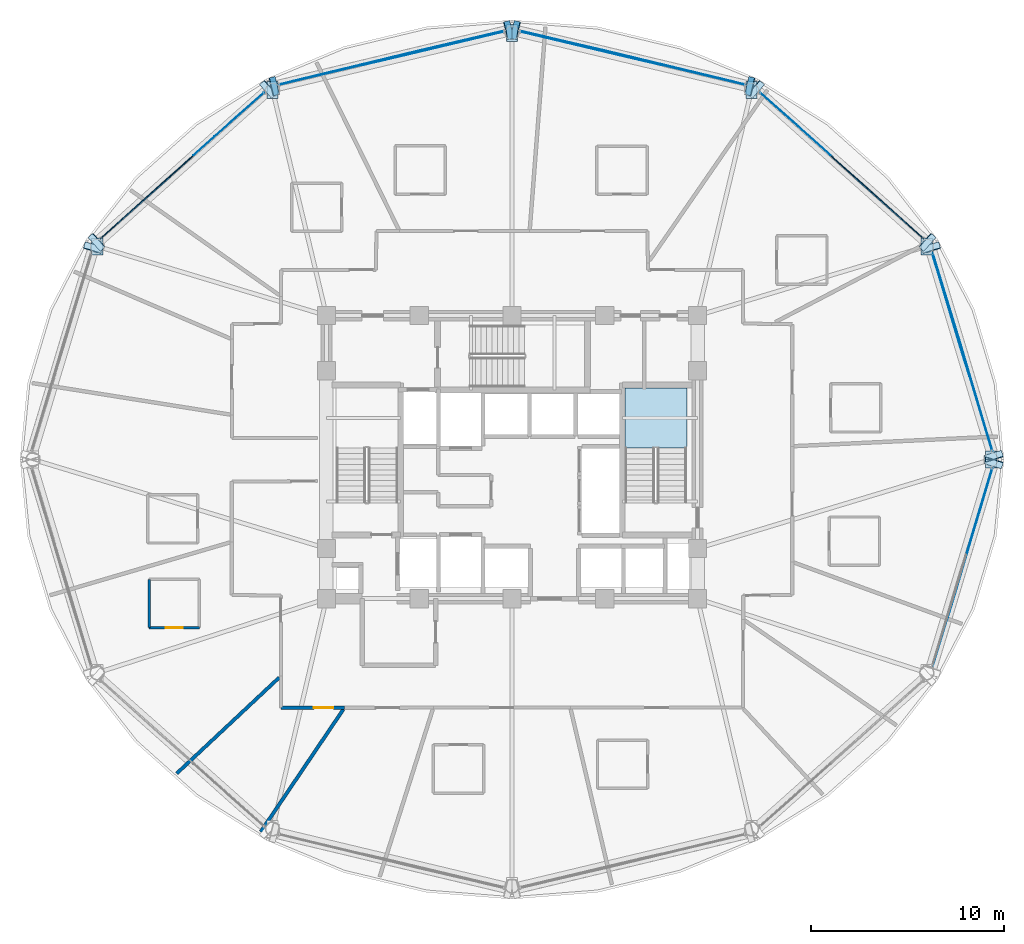
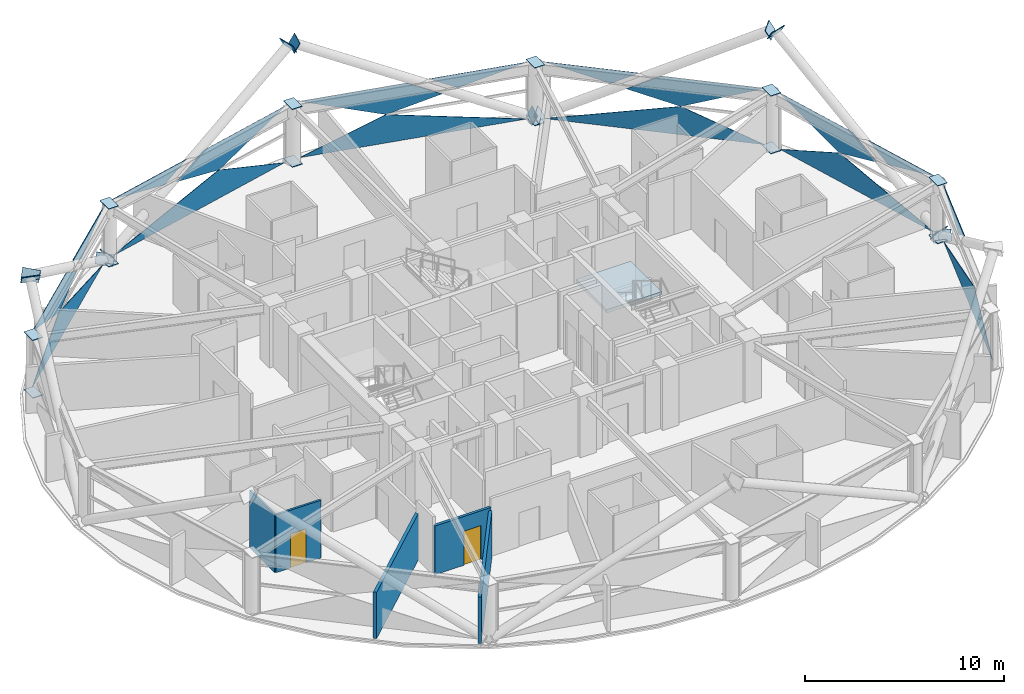
# One storey, part 21 of 29: 41 plates, 5 walls, 2 doors, 1 slab, 2 openings, 7 elements without a shape of their own.
"""IFC4 building model written with IfcOpenShell, lengths in metres."""

from ifc_helpers import new_model, si_unit, direction, frame, frame_2d, origin, place, context, subcontext, project, spatial, polyline, rectangle, outline, extrude, material, layer, layer_set, type_object, element, fill, aggregate, save


model = new_model("IFC4")

# Units and contexts
model_context = context("Model", 3, precision=1e-05, world=origin(), true_north=direction((0.0, 1.0)))
body_context = subcontext(model_context, "Body", "Model", "MODEL_VIEW")
ifc_project = project(units=[si_unit("LENGTHUNIT", "METRE"), si_unit("AREAUNIT", "SQUARE_METRE"), si_unit("VOLUMEUNIT", "CUBIC_METRE"), si_unit("PLANEANGLEUNIT", "RADIAN"), si_unit("MASSUNIT", "GRAM", prefix="KILO")], contexts=[model_context])

# Site, building, storey
site_placement = place(None, origin())
site = spatial("IfcSite", under=ifc_project, at=site_placement, CompositionType="ELEMENT")
building_placement = place(site_placement, origin())
building = spatial("IfcBuilding", under=site, at=building_placement, Name="Vantalir Tower", CompositionType="ELEMENT")
storey_placement = place(building_placement, frame((0.0, 0.0, 149.699951171875)))
storey = spatial("IfcBuildingStorey", under=building, at=storey_placement, Name="L37", CompositionType="ELEMENT", Elevation=149.699951171875)

# Curtain wall, plates
ifc_material_1 = material(Name="Champagne-silver PVDF aluminium and double-silver Low-E glass", Category="aluminium")
ifc_layer_1 = layer(ifc_material_1, 0.199951171875)
ifc_layer_set_1 = layer_set([ifc_layer_1], Name="Champagne-silver PVDF aluminium and double-silver Low-E glass")
curtain_wall_type = type_object("IfcCurtainWallType", Name="CW-DIAMOND-Z2", PredefinedType="USERDEFINED", material=ifc_layer_set_1)
curtain_wall_1_placement = place(storey_placement, origin())
curtain_wall_1 = element("IfcCurtainWall", 1, at=curtain_wall_1_placement, inside=storey, type_object=curtain_wall_type, Name="L37 Quilted Pyramid-Diamond Curtain Wall S01", ObjectType="UNITISED CURTAIN WALL", PredefinedType="USERDEFINED")
ifc_material_2 = material(Name="Double-silver Low-E laminated glass IGU", Category="glass")
ifc_layer_2 = layer(ifc_material_2, 0.028076171875)
ifc_layer_set_2 = layer_set([ifc_layer_2], Name="Double-silver Low-E laminated glass IGU")
plate_type_1 = type_object("IfcPlateType", Name="CWP-IGU-28", PredefinedType="CURTAIN_PANEL", material=ifc_layer_set_2)
plate_1_placement = place(storey_placement, frame((56.342041015625, 25.435546875, 0.046630859375), z_axis=(-0.957564071006, -0.287889450564, 0.013809930182), x_axis=(-0.28791660525, 0.957655484974, 2.2792638e-05)))
plate_1 = element("IfcPlate", 2, at=plate_1_placement, type_object=plate_type_1, Name="CW-L37-S01 Pyramid Diamond Facet 1L", PredefinedType="CURTAIN_PANEL", context=body_context, shape_type="SweptSolid", body=[
    extrude(outline(polyline([(0.0, 0.0), (10.711380721923996, -5.44811591673966e-18), (6.6357327467087055, -1.7263317397813793), (0.0, 0.0)])), origin(), (0.0, 0.0, -1.0), 0.028076171875),
])
plate_2_placement = place(storey_placement, frame((54.70751953125, 30.872314453125, 3.5234375), z_axis=(0.957563438218, 0.28789228305, 0.013794750779), x_axis=(-0.287919038671, 0.957654752415, -4.8456693e-05)))
plate_2 = element("IfcPlate", 3, at=plate_2_placement, type_object=plate_type_1, Name="CW-L37-S01 Pyramid Diamond Facet 2U", PredefinedType="CURTAIN_PANEL", context=body_context, shape_type="SweptSolid", body=[
    extrude(outline(polyline([(0.0, 0.0), (5.034224554927279, 5.583641188300348e-18), (0.9586208209291229, -1.7264361838381996), (-1.6855550588144192, -1.0385103734618548), (0.0, 0.0)])), origin(), (0.0, 0.0, -1.0), 0.028076171875),
])
plate_3_placement = place(storey_placement, frame((56.37255859375, 25.44482421875, 3.52392578125), z_axis=(0.957577912643, 0.287853015002, 0.013608195022), x_axis=(-0.287879671443, 0.957666588521, 0.0)))
plate_3 = element("IfcPlate", 4, at=plate_3_placement, type_object=plate_type_1, Name="CW-L37-S01 Pyramid Diamond Facet 2U Infill Light", PredefinedType="CURTAIN_PANEL", context=body_context, shape_type="SweptSolid", body=[
    extrude(outline(polyline([(0.0, 0.0), (4.590574931890273, 0.0), (3.2275834441443063, -0.8396773599491076), (0.0, 0.0)])), origin(), (0.0, 0.0, -1.0), 0.028076171875),
])
aggregate(curtain_wall_1, [plate_1, plate_2, plate_3])

curtain_wall_2_placement = place(storey_placement, origin())
curtain_wall_2 = element("IfcCurtainWall", 5, at=curtain_wall_2_placement, inside=storey, type_object=curtain_wall_type, Name="L37 Quilted Pyramid-Diamond Curtain Wall S02", ObjectType="UNITISED CURTAIN WALL", PredefinedType="USERDEFINED")
plate_4_placement = place(storey_placement, frame((52.787353515625, 36.431640625, 0.046630859375), z_axis=(-0.665391830285, -0.746371268071, 0.013551471789), x_axis=(-0.746440004295, 0.665452717723, -2.1539172e-05)))
plate_4 = element("IfcPlate", 6, at=plate_4_placement, type_object=plate_type_1, Name="CW-L37-S02 Pyramid Diamond Facet 1L", PredefinedType="CURTAIN_PANEL", context=body_context, shape_type="SweptSolid", body=[
    extrude(outline(polyline([(0.0, 0.0), (11.334726583109456, 5.908901840045999e-18), (4.3087562118875535, -1.7268138728330658), (0.0, 0.0)])), origin(), (0.0, 0.0, -1.0), 0.028076171875),
])
plate_5_placement = place(storey_placement, frame((52.787353515625, 36.431640625, 3.5234375), z_axis=(0.665404708517, 0.746359863871, 0.013547231659), x_axis=(-0.746428363604, 0.665465775234, 1.69579e-07)))
plate_5 = element("IfcPlate", 7, at=plate_5_placement, type_object=plate_type_1, Name="CW-L37-S02 Pyramid Diamond Facet 2U", PredefinedType="CURTAIN_PANEL", context=body_context, shape_type="SweptSolid", body=[
    extrude(outline(polyline([(0.0, 0.0), (5.336225208245564, 0.0), (7.1114463130486385, -1.0379382522951073), (4.308793517516763, -1.7267207834018854), (0.0, 0.0)])), origin(), (0.0, 0.0, -1.0), 0.028076171875),
])
plate_6_placement = place(storey_placement, frame((47.982666015625, 40.758056640625, 3.52392578125), z_axis=(0.665346103108, 0.746413935414, 0.013446192701), x_axis=(-0.746481868134, 0.665405754433, 5.0139835e-05)))
plate_6 = element("IfcPlate", 8, at=plate_6_placement, type_object=plate_type_1, Name="CW-L37-S02 Pyramid Diamond Facet 2U Infill Light", PredefinedType="CURTAIN_PANEL", context=body_context, shape_type="SweptSolid", body=[
    extrude(outline(polyline([(0.0, 0.0), (4.869194792481777, 7.589415207398531e-19), (1.4409235204052693, -0.8426777271538133), (0.0, 0.0)])), origin(), (0.0, 0.0, -1.0), 0.028076171875),
])
aggregate(curtain_wall_2, [plate_4, plate_5, plate_6])

curtain_wall_3_placement = place(storey_placement, origin())
curtain_wall_3 = element("IfcCurtainWall", 9, at=curtain_wall_3_placement, inside=storey, type_object=curtain_wall_type, Name="L37 Quilted Pyramid-Diamond Curtain Wall S03", ObjectType="UNITISED CURTAIN WALL", PredefinedType="USERDEFINED")
plate_7_placement = place(storey_placement, frame((43.54443359375, 44.382568359375, 0.04638671875), z_axis=(-0.232261179641, -0.972555255955, 0.013820945895), x_axis=(-0.972648091392, 0.232283641034, 2.0467322e-05)))
plate_7 = element("IfcPlate", 10, at=plate_7_placement, type_object=plate_type_1, Name="CW-L37-S03 Pyramid Diamond Facet 1L", PredefinedType="CURTAIN_PANEL", context=body_context, shape_type="SweptSolid", body=[
    extrude(outline(polyline([(0.0, 0.0), (11.928312905690158, 1.7889335846010823e-18), (7.389833878033435, -1.7270644900511896), (0.0, 0.0)])), origin(), (0.0, 0.0, -1.0), 0.028076171875),
])
plate_8_placement = place(storey_placement, frame((37.4130859375, 45.846923828125, 3.523681640625), z_axis=(0.232244358456, 0.972559877803, 0.01377831826), x_axis=(-0.972652067447, 0.232266988197, -4.3419937e-05)))
plate_8 = element("IfcPlate", 11, at=plate_8_placement, type_object=plate_type_1, Name="CW-L37-S03 Pyramid Diamond Facet 2U", PredefinedType="CURTAIN_PANEL", context=body_context, shape_type="SweptSolid", body=[
    extrude(outline(polyline([(0.0, 0.0), (5.624523492336616, -1.0842021724855044e-18), (1.0860836947301327, -1.7271675774941564), (-1.8615053362611782, -1.038265398652794), (0.0, 0.0)])), origin(), (0.0, 0.0, -1.0), 0.028076171875),
])
plate_9_placement = place(storey_placement, frame((43.552001953125, 44.413818359375, 3.524169921875), z_axis=(0.232265164866, 0.972556898893, 0.013637140641), x_axis=(-0.972647345493, 0.232286765242, 0.0)))
plate_9 = element("IfcPlate", 12, at=plate_9_placement, type_object=plate_type_1, Name="CW-L37-S03 Pyramid Diamond Facet 2U Infill Light", PredefinedType="CURTAIN_PANEL", context=body_context, shape_type="SweptSolid", body=[
    extrude(outline(polyline([(0.0, 0.0), (5.135338177832368, 0.0), (3.6187515095441403, -0.8457817743537743), (0.0, 0.0)])), origin(), (0.0, 0.0, -1.0), 0.028076171875),
])
aggregate(curtain_wall_3, [plate_7, plate_8, plate_9])

curtain_wall_4_placement = place(storey_placement, origin())
curtain_wall_4 = element("IfcCurtainWall", 13, at=curtain_wall_4_placement, inside=storey, type_object=curtain_wall_type, Name="L37 Quilted Pyramid-Diamond Curtain Wall S04", ObjectType="UNITISED CURTAIN WALL", PredefinedType="USERDEFINED")
plate_10_placement = place(storey_placement, frame((31.0576171875, 47.1533203125, 0.046630859375), z_axis=(0.232260426857, -0.972555934892, 0.013785776098), x_axis=(-0.972648298282, -0.232282774715, -2.046905e-05)))
plate_10 = element("IfcPlate", 14, at=plate_10_placement, type_object=plate_type_1, Name="CW-L37-S04 Pyramid Diamond Facet 1L", PredefinedType="CURTAIN_PANEL", context=body_context, shape_type="SweptSolid", body=[
    extrude(outline(polyline([(0.0, 0.0), (11.927306344169839, 6.830473686658678e-18), (4.538241582968908, -1.7270636544476772), (0.0, 0.0)])), origin(), (0.0, 0.0, -1.0), 0.028076171875),
])
plate_11_placement = place(storey_placement, frame((31.0576171875, 47.1533203125, 3.5234375), z_axis=(-0.232261915618, 0.972555381144, 0.013799752195), x_axis=(-0.972647857555, -0.232284617021, 4.3451792e-05)))
plate_11 = element("IfcPlate", 15, at=plate_11_placement, type_object=plate_type_1, Name="CW-L37-S04 Pyramid Diamond Facet 2U", PredefinedType="CURTAIN_PANEL", context=body_context, shape_type="SweptSolid", body=[
    extrude(outline(polyline([(0.0, 0.0), (5.624048565800834, 1.5449880957918438e-18), (7.485553609304489, -1.0382659234130753), (4.538201847773651, -1.7271680637615157), (0.0, 0.0)])), origin(), (0.0, 0.0, -1.0), 0.028076171875),
])
plate_12_placement = place(storey_placement, frame((24.443359375, 45.606689453125, 3.524169921875), z_axis=(-0.23228673397, 0.972552131974, 0.013609695617), x_axis=(-0.972642214396, -0.232308249476, 0.0)))
plate_12 = element("IfcPlate", 16, at=plate_12_placement, type_object=plate_type_1, Name="CW-L37-S04 Pyramid Diamond Facet 2U Infill Light", PredefinedType="CURTAIN_PANEL", context=body_context, shape_type="SweptSolid", body=[
    extrude(outline(polyline([(0.0, 0.0), (5.134863253623353, 0.0), (1.516348951670727, -0.8457814580615299), (0.0, 0.0)])), origin(), (0.0, 0.0, -1.0), 0.028076171875),
])
aggregate(curtain_wall_4, [plate_10, plate_11, plate_12])

curtain_wall_5_placement = place(storey_placement, origin())
curtain_wall_5 = element("IfcCurtainWall", 17, at=curtain_wall_5_placement, inside=storey, type_object=curtain_wall_type, Name="L37 Quilted Pyramid-Diamond Curtain Wall S05", ObjectType="UNITISED CURTAIN WALL", PredefinedType="USERDEFINED")
plate_13_placement = place(storey_placement, frame((18.67431640625, 43.974365234375, 0.04638671875), z_axis=(0.665348598501, -0.746408916491, 0.013600435848), x_axis=(-0.74647815315, -0.665409923586, 2.1537787e-05)))
plate_13 = element("IfcPlate", 18, at=plate_13_placement, type_object=plate_type_1, Name="CW-L37-S05 Pyramid Diamond Facet 1L", PredefinedType="CURTAIN_PANEL", context=body_context, shape_type="SweptSolid", body=[
    extrude(outline(polyline([(0.0, 0.0), (11.335455547054119, -3.2065279251258794e-17), (7.026518435773332, -1.7268150188442766), (0.0, 0.0)])), origin(), (0.0, 0.0, -1.0), 0.028076171875),
])
plate_14_placement = place(storey_placement, frame((14.1962890625, 39.982666015625, 3.5234375), z_axis=(-0.665347771699, 0.74640972944, 0.013596267594), x_axis=(-0.746478728814, -0.665409278135, 3.1053e-08)))
plate_14 = element("IfcPlate", 19, at=plate_14_placement, type_object=plate_type_1, Name="CW-L37-S05 Pyramid Diamond Facet 2U", PredefinedType="CURTAIN_PANEL", context=body_context, shape_type="SweptSolid", body=[
    extrude(outline(polyline([(0.0, 0.0), (5.336589689583159, -6.938893903907228e-18), (1.0276153576662825, -1.7267221389128928), (-1.7754024844163567, -1.0379375162422744), (0.0, 0.0)])), origin(), (0.0, 0.0, -1.0), 0.028076171875),
])
plate_15_placement = place(storey_placement, frame((18.653076171875, 43.998291015625, 3.524169921875), z_axis=(-0.66534919904, 0.746411300879, 0.0134392432), x_axis=(-0.74647916335, -0.665408788769, -5.0136286e-05)))
plate_15 = element("IfcPlate", 20, at=plate_15_placement, type_object=plate_type_1, Name="CW-L37-S05 Pyramid Diamond Facet 2U Infill Light", PredefinedType="CURTAIN_PANEL", context=body_context, shape_type="SweptSolid", body=[
    extrude(outline(polyline([(0.0, 0.0), (4.86953949164861, -8.754932542820448e-18), (3.428615922206561, -0.8426776433041369), (0.0, 0.0)])), origin(), (0.0, 0.0, -1.0), 0.028076171875),
])
aggregate(curtain_wall_5, [plate_13, plate_14, plate_15])

curtain_wall_6_placement = place(storey_placement, origin())
curtain_wall_6 = element("IfcCurtainWall", 21, at=curtain_wall_6_placement, inside=storey, type_object=curtain_wall_type, Name="L37 Quilted Pyramid-Diamond Curtain Wall S12", ObjectType="UNITISED CURTAIN WALL", PredefinedType="USERDEFINED")
plate_16_placement = place(storey_placement, frame((53.258056640625, 14.3056640625, 0.046875), z_axis=(-0.957570200047, 0.287870738047, 0.013774983065), x_axis=(0.287897752934, 0.957661152671, -2.2791146e-05)))
plate_16 = element("IfcPlate", 22, at=plate_16_placement, type_object=plate_type_1, Name="CW-L37-S12 Pyramid Diamond Facet 1L", PredefinedType="CURTAIN_PANEL", context=body_context, shape_type="SweptSolid", body=[
    extrude(outline(polyline([(0.0, 0.0), (10.712082131825547, -9.595189226496714e-18), (4.076115115665571, -1.7263309120844164), (0.0, 0.0)])), origin(), (0.0, 0.0, -1.0), 0.028076171875),
])
plate_17_placement = place(storey_placement, frame((55.051025390625, 20.158447265625, 3.52392578125), z_axis=(0.957572495603, -0.287872590993, 0.013575235525), x_axis=(0.287899120251, 0.957660741891, 0.0)))
plate_17 = element("IfcPlate", 23, at=plate_17_placement, type_object=plate_type_1, Name="CW-L37-S12 Pyramid Diamond Facet 2U Infill Light", PredefinedType="CURTAIN_PANEL", context=body_context, shape_type="SweptSolid", body=[
    extrude(outline(polyline([(0.0, 0.0), (4.591112826598887, 0.0), (1.362991719520971, -0.8396769837242962), (0.0, 0.0)])), origin(), (0.0, 0.0, -1.0), 0.028076171875),
])
aggregate(curtain_wall_6, [plate_16, plate_17])

# Plates
ifc_material_3 = material(Name="Steel S460", Category="steel")
ifc_layer_3 = layer(ifc_material_3, 0.0400390625)
ifc_layer_set_3 = layer_set([ifc_layer_3], Name="Steel S460")
plate_type_2 = type_object("IfcPlateType", Name="PLT-KN-Z1", PredefinedType="USERDEFINED", material=ifc_layer_set_3)
plate_18_placement = place(storey_placement, frame((56.8251953125, 25.478271484375, -0.064208984375), z_axis=(-0.245161065098, 0.81534378321, 0.524509835314), x_axis=(-0.957658411379, -0.287906863425, -7.1466528e-05)))
element("IfcPlate", 24, at=plate_18_placement, inside=storey, type_object=plate_type_2, Name="Node Cap Plate MEM-DG-L37-R01L Start", ObjectType="FLANGE_PLATE", PredefinedType="USERDEFINED", context=body_context, shape_type="SweptSolid", body=[
    extrude(outline(polyline([(0.0, 0.0), (0.9501095181265237, 0.0), (0.9499810555111361, 0.6200343011187179), (3.505094612481075e-05, 0.6198748112534392), (0.0, 0.0)])), origin(), (0.0, 0.0, -1.0), 0.0400390625),
])
plate_19_placement = place(storey_placement, frame((53.5810546875, 36.268310546875, 6.87744140625), z_axis=(-0.245183942999, 0.815310461058, 0.524550937646), x_axis=(-0.957625328265, -0.288016887777, 5.4956847e-05)))
element("IfcPlate", 25, at=plate_19_placement, inside=storey, type_object=plate_type_2, Name="Node Cap Plate MEM-DG-L37-R01L End", ObjectType="FLANGE_PLATE", PredefinedType="USERDEFINED", context=body_context, shape_type="SweptSolid", body=[
    extrude(outline(polyline([(0.0, 0.0), (0.9499460215610551, 0.0), (0.9498513493358351, 0.6199116852491161), (-2.4355602227603736e-05, 0.620034319475024), (0.0, 0.0)])), origin(), (0.0, 0.0, -1.0), 0.0400390625),
])
plate_20_placement = place(storey_placement, frame((55.91552734375, 24.795166015625, -0.064208984375), z_axis=(-0.245198528046, -0.815358960732, 0.524468728332), x_axis=(0.957644828219, -0.287952044559, 5.495557e-05)))
element("IfcPlate", 26, at=plate_20_placement, inside=storey, type_object=plate_type_2, Name="Node Cap Plate MEM-DG-L37-R01R Start", ObjectType="FLANGE_PLATE", PredefinedType="USERDEFINED", context=body_context, shape_type="SweptSolid", body=[
    extrude(outline(polyline([(0.0, 0.0), (0.949875712853822, 0.0), (0.9498166128387628, 0.6198748149543554), (-0.00012940080718776447, 0.6199974390364538), (0.0, 0.0)])), origin(), (0.0, 0.0, -1.0), 0.0400390625),
])
plate_21_placement = place(storey_placement, frame((43.7568359375, 44.8203125, -0.07958984375), z_axis=(-0.849504181808, 0.20289346905, 0.487008095731), x_axis=(-0.232303709897, -0.972643298629, 0.0)))
element("IfcPlate", 27, at=plate_21_placement, inside=storey, type_object=plate_type_2, Name="Node Cap Plate MEM-DG-L37-R07L Start", ObjectType="FLANGE_PLATE", PredefinedType="USERDEFINED", context=body_context, shape_type="SweptSolid", body=[
    extrude(outline(polyline([(0.0, 0.0), (0.9500628513325243, -1.3877787807814457e-17), (0.949986499696851, 0.6199971193487023), (-7.635163567328018e-05, 0.6199971193487023), (0.0, 0.0)])), origin(), (0.0, 0.0, -1.0), 0.0400390625),
])
plate_22_placement = place(storey_placement, frame((31.623046875, 47.718017578125, 6.877685546875), z_axis=(-0.84942532367, 0.202789213882, 0.487189033376), x_axis=(-0.23217542996, -0.972673925519, 6.5869662e-05)))
element("IfcPlate", 28, at=plate_22_placement, inside=storey, type_object=plate_type_2, Name="Node Cap Plate MEM-DG-L37-R07L End", ObjectType="FLANGE_PLATE", PredefinedType="USERDEFINED", context=body_context, shape_type="SweptSolid", body=[
    extrude(outline(polyline([(0.0, 0.0), (0.9500061575542947, 0.0), (0.950005296541849, 0.619997110744573), (0.00017992475307138195, 0.6201404083029609), (0.0, 0.0)])), origin(), (0.0, 0.0, -1.0), 0.0400390625),
])
plate_23_placement = place(storey_placement, frame((43.9345703125, 43.687255859375, -0.072509765625), z_axis=(0.644314974379, -0.574449495229, 0.504842541018), x_axis=(0.665479465897, 0.746416157696, 0.0)))
element("IfcPlate", 29, at=plate_23_placement, inside=storey, type_object=plate_type_2, Name="Node Cap Plate MEM-DG-L37-R07R Start", ObjectType="FLANGE_PLATE", PredefinedType="USERDEFINED", context=body_context, shape_type="SweptSolid", body=[
    extrude(outline(polyline([(0.0, 0.0), (0.950178406928635, 0.0), (0.9501366915113127, 0.6199596280945724), (-4.171541732225781e-05, 0.6199596280945724), (0.0, 0.0)])), origin(), (0.0, 0.0, -1.0), 0.0400390625),
])
plate_24_placement = place(storey_placement, frame((52.806640625, 35.7783203125, 6.87744140625), z_axis=(0.644500041067, -0.574392635567, 0.504670979225), x_axis=(0.665336277327, 0.746543795147, 0.0)))
element("IfcPlate", 30, at=plate_24_placement, inside=storey, type_object=plate_type_2, Name="Node Cap Plate MEM-DG-L37-R07R End", ObjectType="FLANGE_PLATE", PredefinedType="USERDEFINED", context=body_context, shape_type="SweptSolid", body=[
    extrude(outline(polyline([(0.0, 0.0), (0.9500159538334854, 2.7755575615628914e-17), (0.9500342741113756, 0.6201703864576605), (1.8320277890282455e-05, 0.6201703864576605), (0.0, 0.0)])), origin(), (0.0, 0.0, -1.0), 0.0400390625),
])
plate_25_placement = place(storey_placement, frame((18.43408203125, 44.396484375, -0.072509765625), z_axis=(-0.644314974379, -0.574449495229, 0.504842541018), x_axis=(0.665479465897, -0.746416157696, 0.0)))
element("IfcPlate", 31, at=plate_25_placement, inside=storey, type_object=plate_type_2, Name="Node Cap Plate MEM-DG-L37-R13L Start", ObjectType="FLANGE_PLATE", PredefinedType="USERDEFINED", context=body_context, shape_type="SweptSolid", body=[
    extrude(outline(polyline([(0.0, 0.0), (0.950178406928635, 0.0), (0.9502201223459572, 0.6199596280945724), (4.171541732225781e-05, 0.6199596280945724), (0.0, 0.0)])), origin(), (0.0, 0.0, -1.0), 0.0400390625),
])
plate_26_placement = place(storey_placement, frame((9.561279296875, 36.487548828125, 6.87744140625), z_axis=(-0.644500041067, -0.574392635567, 0.504670979225), x_axis=(0.665336277327, -0.746543795147, 0.0)))
element("IfcPlate", 32, at=plate_26_placement, inside=storey, type_object=plate_type_2, Name="Node Cap Plate MEM-DG-L37-R13L End", ObjectType="FLANGE_PLATE", PredefinedType="USERDEFINED", context=body_context, shape_type="SweptSolid", body=[
    extrude(outline(polyline([(0.0, 0.0), (0.9500159538334854, -2.7755575615628914e-17), (0.9499976335555952, 0.6201703864576604), (-1.8320277890282455e-05, 0.6201703864576605), (0.0, 0.0)])), origin(), (0.0, 0.0, -1.0), 0.0400390625),
])
plate_27_placement = place(storey_placement, frame((19.46484375, 43.896240234375, -0.07958984375), z_axis=(0.849504181808, 0.20289346905, 0.487008095731), x_axis=(-0.232303709897, 0.972643298629, 0.0)))
element("IfcPlate", 33, at=plate_27_placement, inside=storey, type_object=plate_type_2, Name="Node Cap Plate MEM-DG-L37-R13R Start", ObjectType="FLANGE_PLATE", PredefinedType="USERDEFINED", context=body_context, shape_type="SweptSolid", body=[
    extrude(outline(polyline([(0.0, 0.0), (0.9500628513325243, 1.3877787807814457e-17), (0.9501392029681976, 0.6199971193487023), (7.635163567328018e-05, 0.6199971193487023), (0.0, 0.0)])), origin(), (0.0, 0.0, -1.0), 0.0400390625),
])
plate_28_placement = place(storey_placement, frame((31.597412109375, 46.7939453125, 6.877685546875), z_axis=(0.84942532367, 0.202789213882, 0.487189033376), x_axis=(-0.23217542996, 0.972673925519, -6.5869662e-05)))
element("IfcPlate", 34, at=plate_28_placement, inside=storey, type_object=plate_type_2, Name="Node Cap Plate MEM-DG-L37-R13R End", ObjectType="FLANGE_PLATE", PredefinedType="USERDEFINED", context=body_context, shape_type="SweptSolid", body=[
    extrude(outline(polyline([(0.0, 0.0), (0.9500061575542947, 0.0), (0.9498262328012235, 0.6201404083029609), (8.610124458259834e-07, 0.619997110744573), (0.0, 0.0)])), origin(), (0.0, 0.0, -1.0), 0.0400390625),
])
plate_29_placement = place(storey_placement, frame((10.32861328125, 35.99462890625, 6.87744140625), z_axis=(0.245183942999, 0.815310461058, 0.524550937646), x_axis=(-0.957625328265, 0.288016887777, -5.4956847e-05)))
element("IfcPlate", 35, at=plate_29_placement, inside=storey, type_object=plate_type_2, Name="Node Cap Plate MEM-DG-L37-R19R End", ObjectType="FLANGE_PLATE", PredefinedType="USERDEFINED", context=body_context, shape_type="SweptSolid", body=[
    extrude(outline(polyline([(0.0, 0.0), (0.9499460215610551, 0.0), (0.9499703771632827, 0.620034319475024), (9.467222521999835e-05, 0.6199116852491161), (0.0, 0.0)])), origin(), (0.0, 0.0, -1.0), 0.0400390625),
])
ifc_layer_4 = layer(ifc_material_3, 0.035888671875)
ifc_layer_set_4 = layer_set([ifc_layer_4], Name="Steel S460")
plate_type_3 = type_object("IfcPlateType", Name="PLT-KN-Z2", PredefinedType="USERDEFINED", material=ifc_layer_set_4)
for number, where, z_axis, x_axis, name in (
    (36, (55.992919921875, 25.43994140625, 3.59814453125), (0.0, 0.0, 1.0), (0.0, -1.0, 0.0), "L37 Ring Column Top Cap RC01"),
    (37, (55.992919921875, 25.43994140625, 0.052978515625), (0.0, 0.0, 1.0), (0.0, -1.0, 0.0), "L37 Ring Column Base Cap RC01"),
):
    element("IfcPlate", number, at=place(storey_placement, frame(where, z_axis=z_axis, x_axis=x_axis)), inside=storey, type_object=plate_type_3, Name=name, ObjectType="FLANGE_PLATE", PredefinedType="USERDEFINED", context=body_context, shape_type="SweptSolid", body=[
        extrude(outline(polyline([(0.0, 0.0), (0.8798828125, 0.0), (0.8798828125, 0.580078125), (0.0, 0.580078125), (0.0, 0.0)])), origin(), (0.0, 0.0, -1.0), 0.035888671875),
    ])
for number, where, z_axis, x_axis, name in (
    (38, (52.673095703125, 36.47412109375, 3.59814453125), (0.0, 0.0, 1.0), (0.0, -1.0, 0.0), "L37 Ring Column Top Cap RC02"),
    (39, (52.673095703125, 36.47412109375, 0.052978515625), (0.0, 0.0, 1.0), (0.0, -1.0, 0.0), "L37 Ring Column Base Cap RC02"),
):
    element("IfcPlate", number, at=place(storey_placement, frame(where, z_axis=z_axis, x_axis=x_axis)), inside=storey, type_object=plate_type_3, Name=name, ObjectType="FLANGE_PLATE", PredefinedType="USERDEFINED", context=body_context, shape_type="SweptSolid", body=[
        extrude(outline(polyline([(0.0, 0.0), (0.880126953125, 0.0), (0.880126953125, 0.579833984375), (0.0, 0.579833984375), (0.0, 0.0)])), origin(), (0.0, 0.0, -1.0), 0.035888671875),
    ])
for number, where, z_axis, x_axis, name in (
    (40, (43.60205078125, 44.552001953125, 3.59814453125), (0.0, 0.0, 1.0), (0.0, -1.0, 0.0), "L37 Ring Column Top Cap RC03"),
    (41, (43.60205078125, 44.552001953125, 0.052978515625), (0.0, 0.0, 1.0), (0.0, -1.0, 0.0), "L37 Ring Column Base Cap RC03"),
):
    element("IfcPlate", number, at=place(storey_placement, frame(where, z_axis=z_axis, x_axis=x_axis)), inside=storey, type_object=plate_type_3, Name=name, ObjectType="FLANGE_PLATE", PredefinedType="USERDEFINED", context=body_context, shape_type="SweptSolid", body=[
        extrude(outline(polyline([(0.0, 0.0), (0.8798828125, 0.0), (0.8798828125, 0.579833984375), (0.0, 0.579833984375), (0.0, 0.0)])), origin(), (0.0, 0.0, -1.0), 0.035888671875),
    ])
for number, where, z_axis, x_axis, name in (
    (42, (31.2099609375, 47.509033203125, 3.59814453125), (0.0, 0.0, 1.0), (0.0, -1.0, 0.0), "L37 Ring Column Top Cap RC04"),
    (43, (31.2099609375, 47.509033203125, 0.052978515625), (0.0, 0.0, 1.0), (0.0, -1.0, 0.0), "L37 Ring Column Base Cap RC04"),
):
    element("IfcPlate", number, at=place(storey_placement, frame(where, z_axis=z_axis, x_axis=x_axis)), inside=storey, type_object=plate_type_3, Name=name, ObjectType="FLANGE_PLATE", PredefinedType="USERDEFINED", context=body_context, shape_type="SweptSolid", body=[
        extrude(outline(polyline([(0.0, 0.0), (0.880126953125, 0.0), (0.880126953125, 0.580078125), (0.0, 0.580078125), (0.0, 0.0)])), origin(), (0.0, 0.0, -1.0), 0.035888671875),
    ])
for number, where, z_axis, x_axis, name in (
    (44, (18.819091796875, 44.552001953125, 3.59814453125), (0.0, 0.0, 1.0), (0.0, -1.0, 0.0), "L37 Ring Column Top Cap RC05"),
    (45, (18.819091796875, 44.552001953125, 0.052978515625), (0.0, 0.0, 1.0), (0.0, -1.0, 0.0), "L37 Ring Column Base Cap RC05"),
):
    element("IfcPlate", number, at=place(storey_placement, frame(where, z_axis=z_axis, x_axis=x_axis)), inside=storey, type_object=plate_type_3, Name=name, ObjectType="FLANGE_PLATE", PredefinedType="USERDEFINED", context=body_context, shape_type="SweptSolid", body=[
        extrude(outline(polyline([(0.0, 0.0), (0.8798828125, 0.0), (0.8798828125, 0.579833984375), (0.0, 0.579833984375), (0.0, 0.0)])), origin(), (0.0, 0.0, -1.0), 0.035888671875),
    ])
for number, where, z_axis, x_axis, name in (
    (46, (9.7470703125, 36.47412109375, 3.59814453125), (0.0, 0.0, 1.0), (0.0, -1.0, 0.0), "L37 Ring Column Top Cap RC06"),
    (47, (9.7470703125, 36.47412109375, 0.052978515625), (0.0, 0.0, 1.0), (0.0, -1.0, 0.0), "L37 Ring Column Base Cap RC06"),
):
    element("IfcPlate", number, at=place(storey_placement, frame(where, z_axis=z_axis, x_axis=x_axis)), inside=storey, type_object=plate_type_3, Name=name, ObjectType="FLANGE_PLATE", PredefinedType="USERDEFINED", context=body_context, shape_type="SweptSolid", body=[
        extrude(outline(polyline([(0.0, 0.0), (0.880126953125, 0.0), (0.880126953125, 0.579833984375), (0.0, 0.579833984375), (0.0, 0.0)])), origin(), (0.0, 0.0, -1.0), 0.035888671875),
    ])

# Stair, slab
ifc_material_4 = material(Name="Concrete C40/50", Category="concrete")
stair_type = type_object("IfcStairType", Name="STR-CORE-1450", PredefinedType="HALF_TURN_STAIR", material=ifc_material_4)
stair_placement = place(storey_placement, origin())
stair = element("IfcStair", 48, at=stair_placement, inside=storey, type_object=stair_type, Name="L37 Core Exit Stair 2", PredefinedType="HALF_TURN_STAIR")
ifc_layer_5 = layer(ifc_material_4, 0.199951171875)
ifc_layer_set_5 = layer_set([ifc_layer_5], Name="Concrete C40/50")
slab_type = type_object("IfcSlabType", Name="SL-LAND-200", PredefinedType="LANDING", material=ifc_layer_set_5)
slab_placement = place(storey_placement, frame((0.0, 0.0, 1.675048828125)))
slab = element("IfcSlab", 49, at=slab_placement, type_object=slab_type, Name="ST2 landing 1", PredefinedType="LANDING", context=body_context, shape_type="SweptSolid", body=[
    extrude(outline(polyline([(40.550048828125, 25.590087890625), (40.550048828125, 28.699951171875), (37.35009765625, 28.699951171875), (37.35009765625, 25.590087890625), (40.550048828125, 25.590087890625)])), origin(), (0.0, 0.0, 1.0), 0.199951171875),
])
aggregate(stair, [slab])

# Wall, opening, door
ifc_material_5 = material(Name="Moisture-resistant en-suite partition", Category="gypsum")
ifc_layer_6 = layer(ifc_material_5, 0.125)
ifc_layer_set_6 = layer_set([ifc_layer_6], Name="Moisture-resistant en-suite partition")
wall_type_1 = type_object("IfcWallType", Name="WL-BATH-125", PredefinedType="PARTITIONING", material=ifc_layer_set_6)
wall_1_placement = place(storey_placement, frame((12.72607421875, 16.304931640625, 0.0), z_axis=(0.0, 0.0, 1.0), x_axis=(1.0, 0.0, 0.0)))
wall_1 = element("IfcWall", 50, at=wall_1_placement, inside=storey, type_object=wall_type_1, Name="L37 En-suite 09 South Wall", PredefinedType="PARTITIONING", context=body_context, shape_type="SweptSolid", body=[
    extrude(rectangle(XDim=2.599853515625, YDim=0.125, at=frame_2d((1.2998046875, 0.0))), origin(), (0.0, 0.0, 1.0), 3.550048828125),
])
opening_1_placement = place(wall_1_placement, frame((0.85009765625, 0.0, 0.0)))
opening_1 = element("IfcOpeningElement", 51, at=opening_1_placement, cuts=wall_1, Name="Opening D-WC", PredefinedType="OPENING", context=body_context, shape_type="SweptSolid", body=[
    extrude(rectangle(XDim=0.89990234375, YDim=2.10009765625, at=frame_2d((0.449951171875, 1.050048828125))), frame((0.0, 0.072509765625, 0.0), z_axis=(0.0, -1.0, 0.0), x_axis=(1.0, 0.0, 0.0)), (0.0, 0.0, 1.0), 0.14501953125),
])
ifc_material_6 = material(Name="Moisture-resistant hardwood door", Category="wood")
door_type_1 = type_object("IfcDoorType", Name="DR-ENSUITE-900", OperationType="NOTDEFINED", PredefinedType="DOOR", material=ifc_material_6)
door_1_placement = place(opening_1_placement, origin())
door_1 = element("IfcDoor", 52, at=door_1_placement, inside=storey, type_object=door_type_1, Name="L37 En-suite 09 Door", OperationType="SINGLE_SWING_LEFT", OverallHeight=2.10009765625, OverallWidth=0.89990234375, PredefinedType="DOOR", context=body_context, shape_type="SweptSolid", body=[
    extrude(rectangle(XDim=0.89990234375, YDim=2.10009765625, at=frame_2d((0.449951171875, 1.050048828125))), frame((0.0, 0.02490234375, 0.0), z_axis=(0.0, -1.0, 0.0), x_axis=(1.0, 0.0, 0.0)), (0.0, 0.0, 1.0), 0.050048828125),
])
fill(opening_1, door_1)

# Wall
wall_2_placement = place(storey_placement, frame((12.72607421875, 16.304931640625, 0.0), z_axis=(0.0, 0.0, 1.0), x_axis=(0.0, 1.0, 0.0)))
element("IfcWall", 53, at=wall_2_placement, inside=storey, type_object=wall_type_1, Name="L37 En-suite 09 West Wall", PredefinedType="PARTITIONING", context=body_context, shape_type="SweptSolid", body=[
    extrude(rectangle(XDim=2.5, YDim=0.125, at=frame_2d((1.25, 0.0))), origin(), (0.0, 0.0, 1.0), 3.550048828125),
])

# Wall, opening, door
ifc_material_7 = material(Name="Fire-rated hotel corridor acoustic partition", Category="gypsum")
ifc_layer_7 = layer(ifc_material_7, 0.159912109375)
ifc_layer_set_7 = layer_set([ifc_layer_7], Name="Fire-rated hotel corridor acoustic partition")
wall_type_2 = type_object("IfcWallType", Name="WL-CORR-160", PredefinedType="PARTITIONING", material=ifc_layer_set_7)
wall_3_placement = place(storey_placement, frame((22.8310546875, 12.157958984375, 0.0), z_axis=(0.0, 0.0, 1.0), x_axis=(-0.999999955626, -0.000297907189, 0.0)))
wall_3 = element("IfcWall", 54, at=wall_3_placement, inside=storey, type_object=wall_type_2, Name="L37 Corridor Partition 28", PredefinedType="PARTITIONING", context=body_context, shape_type="SweptSolid", body=[
    extrude(rectangle(XDim=3.278076171875, YDim=0.159912109375, at=frame_2d((1.63916015625, 0.0))), origin(), (0.0, 0.0, 1.0), 3.006103515625),
])
opening_2_placement = place(wall_3_placement, frame((0.580078125, 0.0, 0.0)))
opening_2 = element("IfcOpeningElement", 55, at=opening_2_placement, cuts=wall_3, Name="Opening D-GUEST", PredefinedType="OPENING", context=body_context, shape_type="SweptSolid", body=[
    extrude(rectangle(XDim=1.0, YDim=2.10009765625, at=frame_2d((0.5, 1.050048828125))), frame((0.0, 0.08984375, 0.0), z_axis=(0.0, -1.0, 0.0), x_axis=(1.0, 0.0, 0.0)), (0.0, 0.0, 1.0), 0.179931640625),
])
ifc_material_8 = material(Name="Solid-core teak veneer acoustic fire door", Category="wood")
door_type_2 = type_object("IfcDoorType", Name="DR-GUEST-ENTRY-1000", OperationType="NOTDEFINED", PredefinedType="DOOR", material=ifc_material_8)
door_2_placement = place(opening_2_placement, origin())
door_2 = element("IfcDoor", 56, at=door_2_placement, inside=storey, type_object=door_type_2, Name="L37 Executive Business Study 10 Door", OperationType="SINGLE_SWING_LEFT", OverallHeight=2.10009765625, OverallWidth=1.0, PredefinedType="DOOR", context=body_context, shape_type="SweptSolid", body=[
    extrude(rectangle(XDim=1.0, YDim=2.10009765625, at=frame_2d((0.5, 1.050048828125))), frame((0.0, 0.02490234375, 0.0), z_axis=(0.0, -1.0, 0.0), x_axis=(1.0, 0.0, 0.0)), (0.0, 0.0, 1.0), 0.050048828125),
])
fill(opening_2, door_2)

# Walls
ifc_material_9 = material(Name="Twin-stud acoustic fire-rated gypsum partition", Category="gypsum")
ifc_layer_8 = layer(ifc_material_9, 0.179931640625)
ifc_layer_set_8 = layer_set([ifc_layer_8], Name="Twin-stud acoustic fire-rated gypsum partition")
wall_type_3 = type_object("IfcWallType", Name="WL-GUEST-180", PredefinedType="PARTITIONING", material=ifc_layer_set_8)
wall_4_placement = place(storey_placement, frame((19.4599609375, 13.72607421875, 0.0), z_axis=(0.0, 0.0, 1.0), x_axis=(-0.730026032341, -0.683419338404, 0.0)))
element("IfcWall", 57, at=wall_4_placement, inside=storey, type_object=wall_type_3, Name="L37 Radial Suite Partition 10", PredefinedType="PARTITIONING", context=body_context, shape_type="SweptSolid", body=[
    extrude(rectangle(XDim=7.270751953125, YDim=0.179931640625, at=frame_2d((3.63525390625, 0.0))), origin(), (0.0, 0.0, 1.0), 2.85205078125),
])
wall_5_placement = place(storey_placement, frame((22.77490234375, 12.074951171875, 0.0), z_axis=(0.0, 0.0, 1.0), x_axis=(-0.559569383681, -0.828783509034, 0.0)))
element("IfcWall", 58, at=wall_5_placement, inside=storey, type_object=wall_type_3, Name="L37 Radial Suite Partition 11", PredefinedType="PARTITIONING", context=body_context, shape_type="SweptSolid", body=[
    extrude(rectangle(XDim=7.644775390625, YDim=0.179931640625, at=frame_2d((3.822265625, 0.0))), origin(), (0.0, 0.0, 1.0), 2.85205078125),
])

save(model, "model.ifc")
